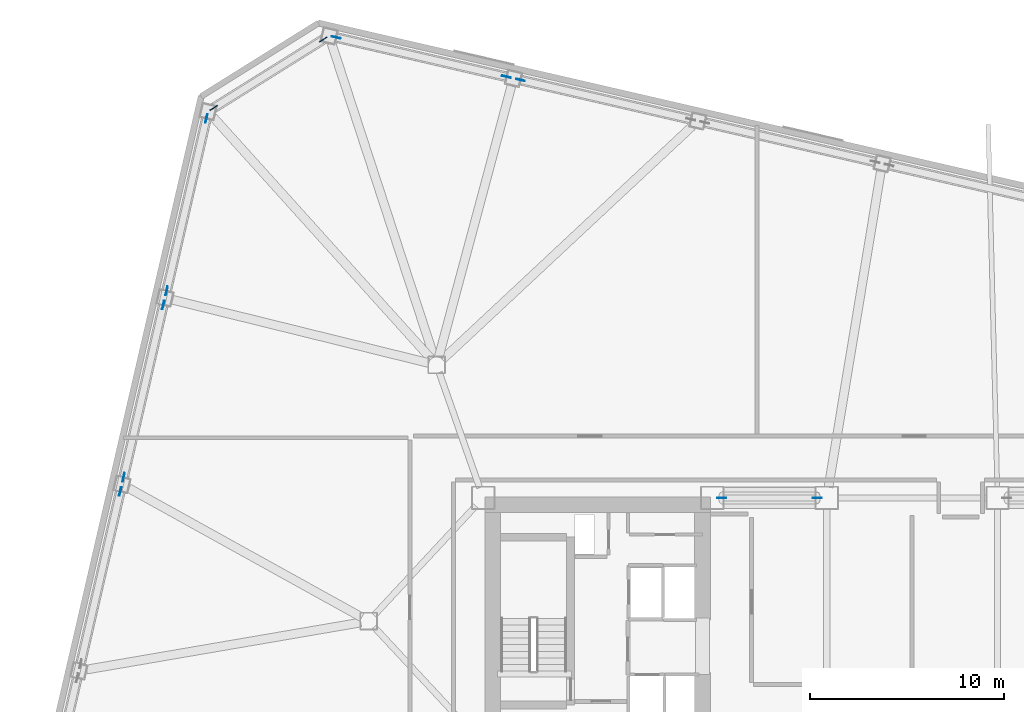
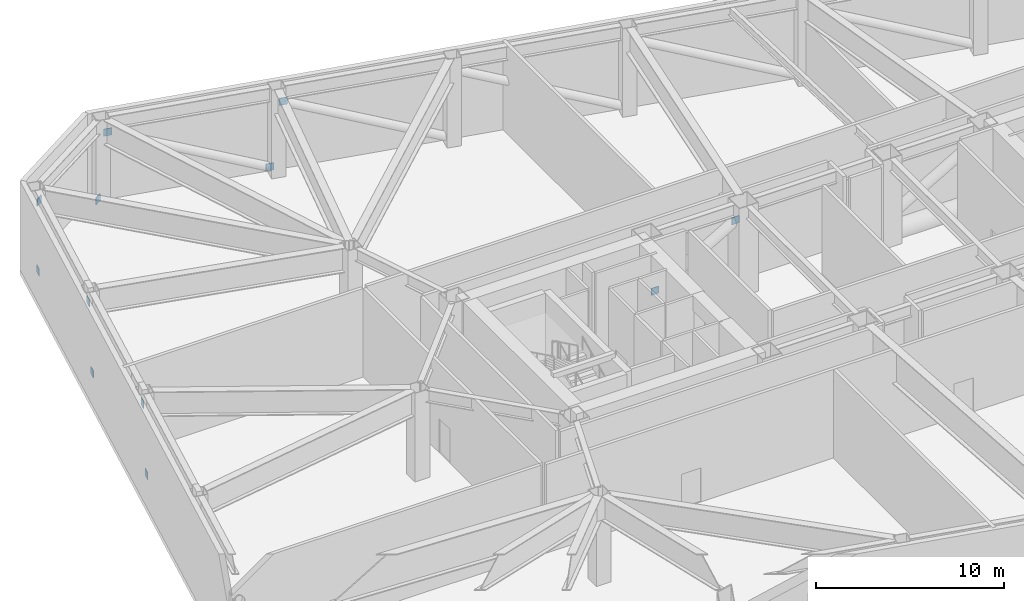
# One storey, part 11 of 15: 12 discrete accessories.
"""IFC4 building model written with IfcOpenShell, lengths in metres."""

from ifc_helpers import new_model, si_unit, direction, frame, origin, origin_2d, place, context, subcontext, project, spatial, rectangle, extrude, material, type_object, element, save


model = new_model("IFC4")

# Units and contexts
model_context = context("Model", 3, precision=1e-05, world=origin(), true_north=direction((0.0, 1.0)))
body_context = subcontext(model_context, "Body", "Model", "MODEL_VIEW")
ifc_project = project(units=[si_unit("LENGTHUNIT", "METRE"), si_unit("AREAUNIT", "SQUARE_METRE"), si_unit("VOLUMEUNIT", "CUBIC_METRE"), si_unit("PLANEANGLEUNIT", "RADIAN"), si_unit("MASSUNIT", "GRAM", prefix="KILO")], contexts=[model_context])

# Site, building, storey
site_placement = place(None, origin())
site = spatial("IfcSite", under=ifc_project, at=site_placement, CompositionType="ELEMENT")
building_placement = place(site_placement, origin())
building = spatial("IfcBuilding", under=site, at=building_placement, Name="Tavrogorsk Clinical Tower", CompositionType="ELEMENT")
storey_placement = place(building_placement, frame((0.0, 0.0, 33.39990234375)))
storey = spatial("IfcBuildingStorey", under=building, at=storey_placement, Name="L06", CompositionType="ELEMENT", Elevation=33.39990234375)

# Discrete accessories
ifc_material = material(Name="Structural steel S440", Category="steel")
discrete_accessory_type = type_object("IfcDiscreteAccessoryType", Name="GussetPlateBracket_25", PredefinedType="BRACKET", material=ifc_material)
for number, where, z_axis, x_axis, name in (
    (1, (-20.17919921875, 27.880126953125, 4.39111328125), (0.0, 0.0, 1.0), (-0.974370064785, 0.224951054344, 0.0), "L06 Brace Gusset Plate EXOBELT-L06-19-B"),
    (2, (-20.90283203125, 28.047119140625, 0.289306640625), (0.0, 0.0, 1.0), (-0.974370064785, 0.224951054344, 0.0), "L06 Brace Gusset Plate EXOBELT-L06-20-A"),
    (3, (-29.677978515625, 30.072998046875, 4.39111328125), (0.0, 0.0, 1.0), (-0.974370064785, 0.224951054344, 0.0), "L06 Brace Gusset Plate EXOBELT-L06-20-B"),
    (4, (-30.3359375, 29.971435546875, 0.3310546875), (0.0, 0.0, 1.0), (-0.848048096156, -0.529919264233, 0.0), "L06 Brace Gusset Plate EXOBELT-L06-21-A"),
    (5, (-35.97998046875, 26.44482421875, 4.34912109375), (0.0, 0.0, 1.0), (-0.848048096156, -0.529919264233, 0.0), "L06 Brace Gusset Plate EXOBELT-L06-21-B"),
    (6, (-36.35986328125, 25.897216796875, 0.28759765625), (0.0, 0.0, 1.0), (-0.224951054344, -0.974370064785, 0.0), "L06 Brace Gusset Plate EXOBELT-L06-22-A"),
    (7, (-38.410400390625, 17.014892578125, 4.392578125), (0.0, 0.0, 1.0), (-0.224951054344, -0.974370064785, 0.0), "L06 Brace Gusset Plate EXOBELT-L06-22-B"),
    (8, (-38.577880859375, 16.289794921875, 0.28759765625), (0.0, 0.0, 1.0), (-0.224951054344, -0.974370064785, 0.0), "L06 Brace Gusset Plate EXOBELT-L06-23-A"),
    (9, (-40.62841796875, 7.407470703125, 4.392578125), (0.0, 0.0, 1.0), (-0.224951054344, -0.974370064785, 0.0), "L06 Brace Gusset Plate EXOBELT-L06-23-B"),
    (10, (-40.7958984375, 6.6826171875, 0.28759765625), (0.0, 0.0, 1.0), (-0.224951054344, -0.974370064785, 0.0), "L06 Brace Gusset Plate EXOBELT-L06-24-A"),
    (11, (-9.815185546875, 6.35009765625, 1.5302734375), (0.0, 0.0, 1.0), (1.0, 0.0, 0.0), "L06 Brace Gusset Plate ORDG-L06-02-A"),
    (12, (-4.884765625, 6.35009765625, 4.3798828125), (0.0, 0.0, 1.0), (1.0, 0.0, 0.0), "L06 Brace Gusset Plate ORDG-L06-02-B"),
):
    element("IfcDiscreteAccessory", number, at=place(storey_placement, frame(where, z_axis=z_axis, x_axis=x_axis)), inside=storey, type_object=discrete_accessory_type, Name=name, PredefinedType="BRACKET", context=body_context, shape_type="SweptSolid", body=[
        extrude(rectangle(XDim=0.4599609375, YDim=0.0400390625, at=origin_2d()), origin(), (0.0, 0.0, 1.0), 0.4599609375),
    ])

save(model, "model.ifc")
